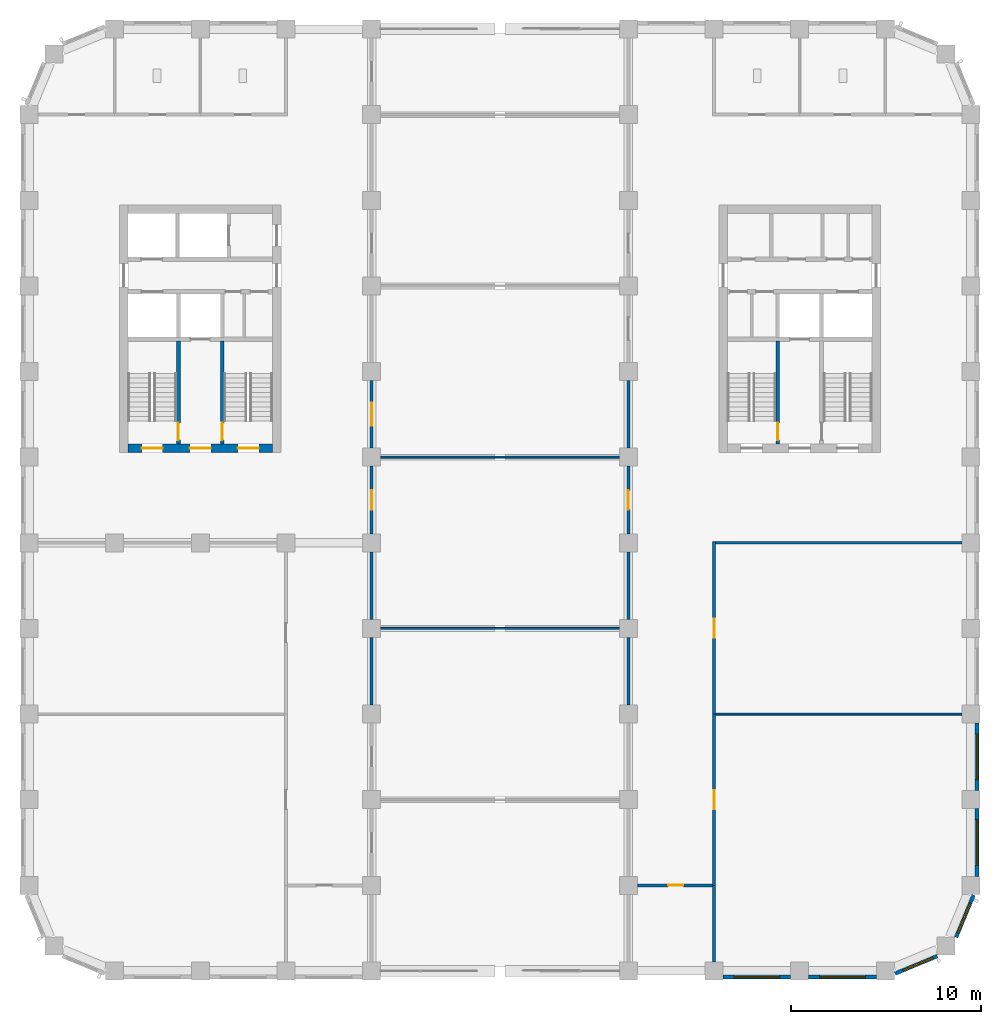
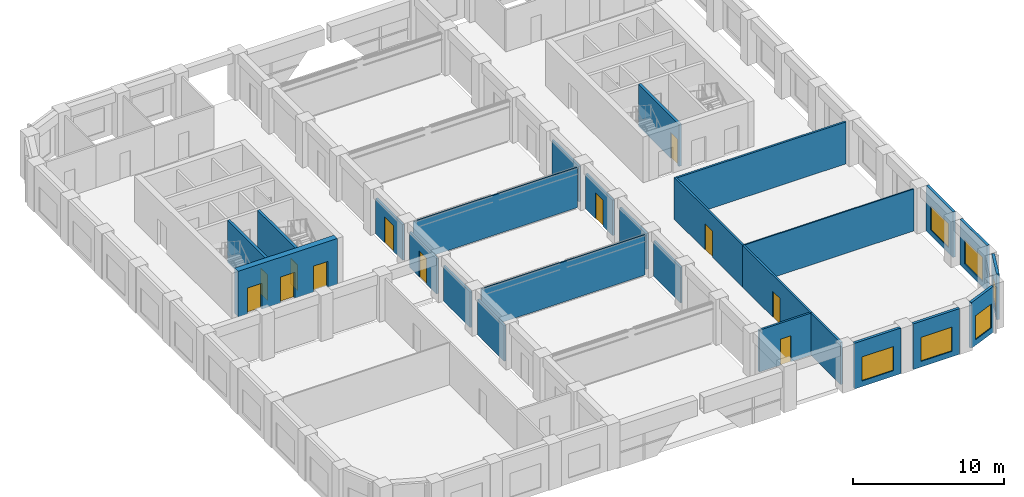
# One storey, part 7 of 14: 26 walls, 12 doors, 6 windows, 18 openings.
"""IFC4 building model written with IfcOpenShell, lengths in metres."""

from ifc_helpers import new_model, si_unit, direction, frame, frame_2d, origin, place, context, subcontext, project, spatial, rectangle, extrude, material, layer, layer_set, type_object, element, fill, save


model = new_model("IFC4")

# Units and contexts
model_context = context("Model", 3, precision=1e-05, world=origin(), true_north=direction((0.0, 1.0)))
body_context = subcontext(model_context, "Body", "Model", "MODEL_VIEW")
ifc_project = project(units=[si_unit("LENGTHUNIT", "METRE"), si_unit("AREAUNIT", "SQUARE_METRE"), si_unit("VOLUMEUNIT", "CUBIC_METRE"), si_unit("PLANEANGLEUNIT", "RADIAN"), si_unit("MASSUNIT", "GRAM", prefix="KILO")], contexts=[model_context])

# Site, building, storey
site_placement = place(None, origin())
site = spatial("IfcSite", under=ifc_project, at=site_placement, CompositionType="ELEMENT")
building_placement = place(site_placement, origin())
building = spatial("IfcBuilding", under=site, at=building_placement, Name="Girih Gate Residences", CompositionType="ELEMENT")
storey_placement = place(building_placement, frame((0.0, 0.0, 172.60009765625)))
storey = spatial("IfcBuildingStorey", under=building, at=storey_placement, Name="L47", CompositionType="ELEMENT", Elevation=172.60009765625)

# Walls
ifc_material_1 = material(Name="Gypsum board on steel studs", Category="steel")
ifc_layer_1 = layer(ifc_material_1, 0.14990234375)
ifc_layer_set_1 = layer_set([ifc_layer_1], Name="Compartment wall 150 mm")
wall_type_1 = type_object("IfcWallType", Name="Compartment wall 150 mm", PredefinedType="PARTITIONING", material=ifc_layer_set_1)
for number, where, z_axis, x_axis, name in (
    (1, (31.5, 13.97509765625, 0.0), (0.0, 0.0, 1.0), (0.0, 1.0, 0.0), "L47 partition"),
    (2, (18.0, 13.97509765625, 0.0), (0.0, 0.0, 1.0), (0.0, 1.0, 0.0), "L47 partition"),
):
    element("IfcWall", number, at=place(storey_placement, frame(where, z_axis=z_axis, x_axis=x_axis)), inside=storey, type_object=wall_type_1, Name=name, PredefinedType="PARTITIONING", context=body_context, shape_type="SweptSolid", body=[
        extrude(rectangle(XDim=3.5498046875, YDim=0.14990234375, at=frame_2d((1.77490234375, 0.0))), origin(), (0.0, 0.0, 1.0), 2.8798828125),
    ])

# Wall, opening, door
wall_1_placement = place(storey_placement, frame((31.5, 22.97509765625, 0.0), z_axis=(0.0, 0.0, 1.0), x_axis=(0.0, 1.0, 0.0)))
wall_1 = element("IfcWall", 3, at=wall_1_placement, inside=storey, type_object=wall_type_1, Name="L47 partition", PredefinedType="PARTITIONING", context=body_context, shape_type="SweptSolid", body=[
    extrude(rectangle(XDim=3.5498046875, YDim=0.14990234375, at=frame_2d((1.77490234375, 0.0))), origin(), (0.0, 0.0, 1.0), 2.8798828125),
])
opening_1_placement = place(wall_1_placement, frame((1.27490234375, 0.0, 0.0)))
opening_1 = element("IfcOpeningElement", 4, at=opening_1_placement, cuts=wall_1, Name="Opening D-L47-S-003", PredefinedType="OPENING", context=body_context, shape_type="SweptSolid", body=[
    extrude(rectangle(XDim=1.0, YDim=2.10009765625, at=frame_2d((0.5, 1.050048828125))), frame((0.0, 0.0849609375, 0.0), z_axis=(0.0, -1.0, 0.0), x_axis=(1.0, 0.0, 0.0)), (0.0, 0.0, 1.0), 0.169921875),
])
ifc_material_2 = material(Name="Timber, fire-rated core", Category="wood")
door_type_1 = type_object("IfcDoorType", Name="Amenity door 1000x2100 FD30S", OperationType="SINGLE_SWING_LEFT", PredefinedType="DOOR", material=ifc_material_2)
door_1_placement = place(opening_1_placement, origin())
door_1 = element("IfcDoor", 5, at=door_1_placement, inside=storey, type_object=door_type_1, Name="Door L47-003", OperationType="SINGLE_SWING_RIGHT", OverallHeight=2.10009765625, OverallWidth=1.0, PredefinedType="DOOR", context=body_context, shape_type="SweptSolid", body=[
    extrude(rectangle(XDim=1.0, YDim=2.10009765625, at=frame_2d((0.5, 1.050048828125))), frame((0.0, 0.02490234375, 0.0), z_axis=(0.0, -1.0, 0.0), x_axis=(1.0, 0.0, 0.0)), (0.0, 0.0, 1.0), 0.050048828125),
])
fill(opening_1, door_1)

# Wall
wall_2_placement = place(storey_placement, frame((31.5, 18.47509765625, 0.0), z_axis=(0.0, 0.0, 1.0), x_axis=(0.0, 1.0, 0.0)))
element("IfcWall", 6, at=wall_2_placement, inside=storey, type_object=wall_type_1, Name="L47 partition", PredefinedType="PARTITIONING", context=body_context, shape_type="SweptSolid", body=[
    extrude(rectangle(XDim=3.5498046875, YDim=0.14990234375, at=frame_2d((1.77490234375, 0.0))), origin(), (0.0, 0.0, 1.0), 2.8798828125),
])

# Wall, opening, door
wall_3_placement = place(storey_placement, frame((18.0, 26.52490234375, 0.0), z_axis=(0.0, 0.0, 1.0), x_axis=(0.0, -1.0, 0.0)))
wall_3 = element("IfcWall", 7, at=wall_3_placement, inside=storey, type_object=wall_type_1, Name="L47 partition", PredefinedType="PARTITIONING", context=body_context, shape_type="SweptSolid", body=[
    extrude(rectangle(XDim=3.5498046875, YDim=0.14990234375, at=frame_2d((1.77490234375, 0.0))), origin(), (0.0, 0.0, 1.0), 2.8798828125),
])
opening_2_placement = place(wall_3_placement, frame((1.27490234375, 0.0, 0.0)))
opening_2 = element("IfcOpeningElement", 8, at=opening_2_placement, cuts=wall_3, Name="Opening D-L47-S-004", PredefinedType="OPENING", context=body_context, shape_type="SweptSolid", body=[
    extrude(rectangle(XDim=1.0, YDim=2.10009765625, at=frame_2d((0.5, 1.050048828125))), frame((0.0, 0.0849609375, 0.0), z_axis=(0.0, -1.0, 0.0), x_axis=(1.0, 0.0, 0.0)), (0.0, 0.0, 1.0), 0.169921875),
])
door_2_placement = place(opening_2_placement, origin())
door_2 = element("IfcDoor", 9, at=door_2_placement, inside=storey, type_object=door_type_1, Name="Door L47-004", OperationType="SINGLE_SWING_RIGHT", OverallHeight=2.10009765625, OverallWidth=1.0, PredefinedType="DOOR", context=body_context, shape_type="SweptSolid", body=[
    extrude(rectangle(XDim=1.0, YDim=2.10009765625, at=frame_2d((0.5, 1.050048828125))), frame((0.0, 0.02490234375, 0.0), z_axis=(0.0, -1.0, 0.0), x_axis=(1.0, 0.0, 0.0)), (0.0, 0.0, 1.0), 0.050048828125),
])
fill(opening_2, door_2)

# Walls
for number, where, z_axis, x_axis, name in (
    (10, (18.0, 18.47509765625, 0.0), (0.0, 0.0, 1.0), (0.0, 1.0, 0.0), "L47 partition"),
    (11, (31.5, 27.47509765625, 0.0), (0.0, 0.0, 1.0), (0.0, 1.0, 0.0), "L47 partition"),
):
    element("IfcWall", number, at=place(storey_placement, frame(where, z_axis=z_axis, x_axis=x_axis)), inside=storey, type_object=wall_type_1, Name=name, PredefinedType="PARTITIONING", context=body_context, shape_type="SweptSolid", body=[
        extrude(rectangle(XDim=3.5498046875, YDim=0.14990234375, at=frame_2d((1.77490234375, 0.0))), origin(), (0.0, 0.0, 1.0), 2.8798828125),
    ])

# Wall, opening, door
wall_4_placement = place(storey_placement, frame((18.0, 31.02490234375, 0.0), z_axis=(0.0, 0.0, 1.0), x_axis=(0.0, -1.0, 0.0)))
wall_4 = element("IfcWall", 12, at=wall_4_placement, inside=storey, type_object=wall_type_1, Name="L47 partition", PredefinedType="PARTITIONING", context=body_context, shape_type="SweptSolid", body=[
    extrude(rectangle(XDim=3.5498046875, YDim=0.14990234375, at=frame_2d((1.77490234375, 0.0))), origin(), (0.0, 0.0, 1.0), 2.8798828125),
])
opening_3_placement = place(wall_4_placement, frame((1.175048828125, 0.0, 0.0)))
opening_3 = element("IfcOpeningElement", 13, at=opening_3_placement, cuts=wall_4, Name="Opening D-L47-S-006", PredefinedType="OPENING", context=body_context, shape_type="SweptSolid", body=[
    extrude(rectangle(XDim=1.199951171875, YDim=2.10009765625, at=frame_2d((0.60009765625, 1.050048828125))), frame((0.0, 0.0849609375, 0.0), z_axis=(0.0, -1.0, 0.0), x_axis=(1.0, 0.0, 0.0)), (0.0, 0.0, 1.0), 0.169921875),
])
door_type_2 = type_object("IfcDoorType", Name="Gallery fire door 1200x2100 FD30S", OperationType="SINGLE_SWING_LEFT", PredefinedType="DOOR", material=ifc_material_2)
door_3_placement = place(opening_3_placement, origin())
door_3 = element("IfcDoor", 14, at=door_3_placement, inside=storey, type_object=door_type_2, Name="Door L47-006", OperationType="SINGLE_SWING_LEFT", OverallHeight=2.10009765625, OverallWidth=1.199951171875, PredefinedType="DOOR", context=body_context, shape_type="SweptSolid", body=[
    extrude(rectangle(XDim=1.199951171875, YDim=2.10009765625, at=frame_2d((0.60009765625, 1.050048828125))), frame((0.0, 0.02490234375, 0.0), z_axis=(0.0, -1.0, 0.0), x_axis=(1.0, 0.0, 0.0)), (0.0, 0.0, 1.0), 0.050048828125),
])
fill(opening_3, door_3)

# Walls
wall_5_placement = place(storey_placement, frame((36.074951171875, 22.5, 0.0), z_axis=(0.0, 0.0, 1.0), x_axis=(1.0, 0.0, 0.0)))
element("IfcWall", 15, at=wall_5_placement, inside=storey, type_object=wall_type_1, Name="L47 partition", PredefinedType="PARTITIONING", context=body_context, shape_type="SweptSolid", body=[
    extrude(rectangle(XDim=12.949951171875, YDim=0.14990234375, at=frame_2d((6.47509765625, 0.0))), origin(), (0.0, 0.0, 1.0), 3.39990234375),
])
wall_6_placement = place(storey_placement, frame((36.0, 0.47509765625, 0.0), z_axis=(0.0, 0.0, 1.0), x_axis=(0.0, 1.0, 0.0)))
element("IfcWall", 16, at=wall_6_placement, inside=storey, type_object=wall_type_1, Name="L47 partition", PredefinedType="PARTITIONING", context=body_context, shape_type="SweptSolid", body=[
    extrude(rectangle(XDim=4.02490234375, YDim=0.14990234375, at=frame_2d((2.012451171875, 0.0))), origin(), (0.0, 0.0, 1.0), 3.39990234375),
])

# Wall, opening, door
wall_7_placement = place(storey_placement, frame((35.925048828125, 4.5, 0.0), z_axis=(0.0, 0.0, 1.0), x_axis=(-1.0, 0.0, 0.0)))
wall_7 = element("IfcWall", 17, at=wall_7_placement, inside=storey, type_object=wall_type_1, Name="L47 partition", PredefinedType="PARTITIONING", context=body_context, shape_type="SweptSolid", body=[
    extrude(rectangle(XDim=3.949951171875, YDim=0.14990234375, at=frame_2d((1.97509765625, 0.0))), origin(), (0.0, 0.0, 1.0), 3.39990234375),
])
opening_4_placement = place(wall_7_placement, frame((1.53759765625, 0.0, 0.0)))
opening_4 = element("IfcOpeningElement", 18, at=opening_4_placement, cuts=wall_7, Name="Opening D-L47-S-013", PredefinedType="OPENING", context=body_context, shape_type="SweptSolid", body=[
    extrude(rectangle(XDim=0.800048828125, YDim=2.10009765625, at=frame_2d((0.39990234375, 1.050048828125))), frame((0.0, 0.0849609375, 0.0), z_axis=(0.0, -1.0, 0.0), x_axis=(1.0, 0.0, 0.0)), (0.0, 0.0, 1.0), 0.169921875),
])
ifc_material_3 = material(Name="Timber", Category="wood")
door_type_3 = type_object("IfcDoorType", Name="WC and store door 800x2100", OperationType="SINGLE_SWING_LEFT", PredefinedType="DOOR", material=ifc_material_3)
door_4_placement = place(opening_4_placement, origin())
door_4 = element("IfcDoor", 19, at=door_4_placement, inside=storey, type_object=door_type_3, Name="Door L47-013", OperationType="SINGLE_SWING_LEFT", OverallHeight=2.10009765625, OverallWidth=0.800048828125, PredefinedType="DOOR", context=body_context, shape_type="SweptSolid", body=[
    extrude(rectangle(XDim=0.800048828125, YDim=2.10009765625, at=frame_2d((0.39990234375, 1.050048828125))), frame((0.0, 0.02490234375, 0.0), z_axis=(0.0, -1.0, 0.0), x_axis=(1.0, 0.0, 0.0)), (0.0, 0.0, 1.0), 0.050048828125),
])
fill(opening_4, door_4)

wall_8_placement = place(storey_placement, frame((36.0, 13.5, 0.0), z_axis=(0.0, 0.0, 1.0), x_axis=(0.0, -1.0, 0.0)))
wall_8 = element("IfcWall", 20, at=wall_8_placement, inside=storey, type_object=wall_type_1, Name="L47 partition", PredefinedType="PARTITIONING", context=body_context, shape_type="SweptSolid", body=[
    extrude(rectangle(XDim=9.0, YDim=0.14990234375, at=frame_2d((4.5, 0.0))), origin(), (0.0, 0.0, 1.0), 3.39990234375),
])
opening_5_placement = place(wall_8_placement, frame((4.0, 0.0, 0.0)))
opening_5 = element("IfcOpeningElement", 21, at=opening_5_placement, cuts=wall_8, Name="Opening D-L47-S-014", PredefinedType="OPENING", context=body_context, shape_type="SweptSolid", body=[
    extrude(rectangle(XDim=1.0, YDim=2.10009765625, at=frame_2d((0.5, 1.050048828125))), frame((0.0, 0.0849609375, 0.0), z_axis=(0.0, -1.0, 0.0), x_axis=(1.0, 0.0, 0.0)), (0.0, 0.0, 1.0), 0.169921875),
])
door_5_placement = place(opening_5_placement, origin())
door_5 = element("IfcDoor", 22, at=door_5_placement, inside=storey, type_object=door_type_1, Name="Door L47-014", OperationType="SINGLE_SWING_RIGHT", OverallHeight=2.10009765625, OverallWidth=1.0, PredefinedType="DOOR", context=body_context, shape_type="SweptSolid", body=[
    extrude(rectangle(XDim=1.0, YDim=2.10009765625, at=frame_2d((0.5, 1.050048828125))), frame((0.0, 0.02490234375, 0.0), z_axis=(0.0, -1.0, 0.0), x_axis=(1.0, 0.0, 0.0)), (0.0, 0.0, 1.0), 0.050048828125),
])
fill(opening_5, door_5)

wall_9_placement = place(storey_placement, frame((36.0, 22.574951171875, 0.0), z_axis=(0.0, 0.0, 1.0), x_axis=(0.0, -1.0, 0.0)))
wall_9 = element("IfcWall", 23, at=wall_9_placement, inside=storey, type_object=wall_type_1, Name="L47 partition", PredefinedType="PARTITIONING", context=body_context, shape_type="SweptSolid", body=[
    extrude(rectangle(XDim=9.074951171875, YDim=0.14990234375, at=frame_2d((4.53759765625, 0.0))), origin(), (0.0, 0.0, 1.0), 3.39990234375),
])
opening_6_placement = place(wall_9_placement, frame((4.074951171875, 0.0, 0.0)))
opening_6 = element("IfcOpeningElement", 24, at=opening_6_placement, cuts=wall_9, Name="Opening D-L47-S-015", PredefinedType="OPENING", context=body_context, shape_type="SweptSolid", body=[
    extrude(rectangle(XDim=1.0, YDim=2.10009765625, at=frame_2d((0.5, 1.050048828125))), frame((0.0, 0.0849609375, 0.0), z_axis=(0.0, -1.0, 0.0), x_axis=(1.0, 0.0, 0.0)), (0.0, 0.0, 1.0), 0.169921875),
])
door_6_placement = place(opening_6_placement, origin())
door_6 = element("IfcDoor", 25, at=door_6_placement, inside=storey, type_object=door_type_1, Name="Door L47-015", OperationType="SINGLE_SWING_RIGHT", OverallHeight=2.10009765625, OverallWidth=1.0, PredefinedType="DOOR", context=body_context, shape_type="SweptSolid", body=[
    extrude(rectangle(XDim=1.0, YDim=2.10009765625, at=frame_2d((0.5, 1.050048828125))), frame((0.0, 0.02490234375, 0.0), z_axis=(0.0, -1.0, 0.0), x_axis=(1.0, 0.0, 0.0)), (0.0, 0.0, 1.0), 0.050048828125),
])
fill(opening_6, door_6)

# Wall, openings, doors
ifc_material_4 = material(Name="Concrete C60/75", Category="concrete")
ifc_layer_2 = layer(ifc_material_4, 0.449951171875)
ifc_layer_set_2 = layer_set([ifc_layer_2], Name="Core wall RC 450 Concrete C60/75")
wall_type_2 = type_object("IfcWallType", Name="Core wall RC 450 Concrete C60/75", PredefinedType="SOLIDWALL", material=ifc_layer_set_2)
wall_10_placement = place(storey_placement, frame((5.199951171875, 27.47509765625, 0.0), z_axis=(0.0, 0.0, 1.0), x_axis=(1.0, 0.0, 0.0)))
wall_10 = element("IfcWall", 26, at=wall_10_placement, inside=storey, type_object=wall_type_2, Name="Core wall W-S L47", PredefinedType="SOLIDWALL", context=body_context, shape_type="SweptSolid", body=[
    extrude(rectangle(XDim=7.60009765625, YDim=0.449951171875, at=frame_2d((3.800048828125, 0.0))), origin(), (0.0, 0.0, 1.0), 3.699951171875),
])
opening_7_placement = place(wall_10_placement, frame((0.72509765625, 0.0, 0.0)))
opening_7 = element("IfcOpeningElement", 27, at=opening_7_placement, cuts=wall_10, Name="Opening D-L47-W-009", PredefinedType="OPENING", context=body_context, shape_type="SweptSolid", body=[
    extrude(rectangle(XDim=1.10009765625, YDim=2.10009765625, at=frame_2d((0.550048828125, 1.050048828125))), frame((0.0, 0.23486328125, 0.0), z_axis=(0.0, -1.0, 0.0), x_axis=(1.0, 0.0, 0.0)), (0.0, 0.0, 1.0), 0.469970703125),
])
opening_8_placement = place(wall_10_placement, frame((3.25, 0.0, 0.0)))
opening_8 = element("IfcOpeningElement", 28, at=opening_8_placement, cuts=wall_10, Name="Opening D-L47-W-010", PredefinedType="OPENING", context=body_context, shape_type="SweptSolid", body=[
    extrude(rectangle(XDim=1.10009765625, YDim=2.10009765625, at=frame_2d((0.550048828125, 1.050048828125))), frame((0.0, 0.23486328125, 0.0), z_axis=(0.0, -1.0, 0.0), x_axis=(1.0, 0.0, 0.0)), (0.0, 0.0, 1.0), 0.469970703125),
])
opening_9_placement = place(wall_10_placement, frame((5.77490234375, 0.0, 0.0)))
opening_9 = element("IfcOpeningElement", 29, at=opening_9_placement, cuts=wall_10, Name="Opening D-L47-W-011", PredefinedType="OPENING", context=body_context, shape_type="SweptSolid", body=[
    extrude(rectangle(XDim=1.10009765625, YDim=2.10009765625, at=frame_2d((0.550048828125, 1.050048828125))), frame((0.0, 0.23486328125, 0.0), z_axis=(0.0, -1.0, 0.0), x_axis=(1.0, 0.0, 0.0)), (0.0, 0.0, 1.0), 0.469970703125),
])
ifc_material_5 = material(Name="Painted steel, fire-resisting", Category="steel")
door_type_4 = type_object("IfcDoorType", Name="Fire door 1100x2100", OperationType="SINGLE_SWING_LEFT", PredefinedType="DOOR", material=ifc_material_5)
door_7_placement = place(opening_7_placement, origin())
door_7 = element("IfcDoor", 30, at=door_7_placement, inside=storey, type_object=door_type_4, Name="L47 W core door sta-out", OperationType="SINGLE_SWING_LEFT", OverallHeight=2.10009765625, OverallWidth=1.10009765625, PredefinedType="DOOR", context=body_context, shape_type="SweptSolid", body=[
    extrude(rectangle(XDim=1.10009765625, YDim=2.10009765625, at=frame_2d((0.550048828125, 1.050048828125))), frame((0.0, 0.02490234375, 0.0), z_axis=(0.0, -1.0, 0.0), x_axis=(1.0, 0.0, 0.0)), (0.0, 0.0, 1.0), 0.050048828125),
])
fill(opening_7, door_7)
door_8_placement = place(opening_8_placement, origin())
door_8 = element("IfcDoor", 31, at=door_8_placement, inside=storey, type_object=door_type_4, Name="L47 W core door ffl-out", OperationType="SINGLE_SWING_LEFT", OverallHeight=2.10009765625, OverallWidth=1.10009765625, PredefinedType="DOOR", context=body_context, shape_type="SweptSolid", body=[
    extrude(rectangle(XDim=1.10009765625, YDim=2.10009765625, at=frame_2d((0.550048828125, 1.050048828125))), frame((0.0, 0.02490234375, 0.0), z_axis=(0.0, -1.0, 0.0), x_axis=(1.0, 0.0, 0.0)), (0.0, 0.0, 1.0), 0.050048828125),
])
fill(opening_8, door_8)
door_9_placement = place(opening_9_placement, origin())
door_9 = element("IfcDoor", 32, at=door_9_placement, inside=storey, type_object=door_type_4, Name="L47 W core door stb-out", OperationType="SINGLE_SWING_LEFT", OverallHeight=2.10009765625, OverallWidth=1.10009765625, PredefinedType="DOOR", context=body_context, shape_type="SweptSolid", body=[
    extrude(rectangle(XDim=1.10009765625, YDim=2.10009765625, at=frame_2d((0.550048828125, 1.050048828125))), frame((0.0, 0.02490234375, 0.0), z_axis=(0.0, -1.0, 0.0), x_axis=(1.0, 0.0, 0.0)), (0.0, 0.0, 1.0), 0.050048828125),
])
fill(opening_9, door_9)

# Walls
ifc_layer_3 = layer(ifc_material_1, 0.10009765625)
ifc_layer_set_3 = layer_set([ifc_layer_3], Name="Partition 100 mm")
wall_type_3 = type_object("IfcWallType", Name="Partition 100 mm", PredefinedType="PARTITIONING", material=ifc_layer_set_3)
for number, where, z_axis, x_axis, name in (
    (33, (18.47509765625, 18.0, 0.0), (0.0, 0.0, 1.0), (1.0, 0.0, 0.0), "L47 partition"),
    (34, (18.47509765625, 27.0, 0.0), (0.0, 0.0, 1.0), (1.0, 0.0, 0.0), "L47 partition"),
):
    element("IfcWall", number, at=place(storey_placement, frame(where, z_axis=z_axis, x_axis=x_axis)), inside=storey, type_object=wall_type_3, Name=name, PredefinedType="PARTITIONING", context=body_context, shape_type="SweptSolid", body=[
        extrude(rectangle(XDim=12.5498046875, YDim=0.10009765625, at=frame_2d((6.27490234375, 0.0))), origin(), (0.0, 0.0, 1.0), 3.25),
    ])
wall_11_placement = place(storey_placement, frame((36.074951171875, 13.5, 0.0), z_axis=(0.0, 0.0, 1.0), x_axis=(1.0, 0.0, 0.0)))
element("IfcWall", 35, at=wall_11_placement, inside=storey, type_object=wall_type_3, Name="L47 partition", PredefinedType="PARTITIONING", context=body_context, shape_type="SweptSolid", body=[
    extrude(rectangle(XDim=12.949951171875, YDim=0.10009765625, at=frame_2d((6.47509765625, 0.0))), origin(), (0.0, 0.0, 1.0), 3.39990234375),
])

# Wall, opening, window
ifc_material_6 = material(Name="Precast concrete C50/60", Category="concrete")
ifc_layer_4 = layer(ifc_material_6, 0.06005859375, Name="Outer leaf")
ifc_material_7 = material(Name="Rigid PIR insulation")
ifc_layer_5 = layer(ifc_material_7, 0.090087890625, Name="Insulation")
ifc_material_8 = material(Name="Precast concrete C40/50", Category="concrete")
ifc_layer_6 = layer(ifc_material_8, 0.050048828125, Name="Inner leaf")
ifc_layer_set_4 = layer_set([ifc_layer_4, ifc_layer_5, ifc_layer_6], Name="Precast concrete C50/60 external wall 200")
wall_type_4 = type_object("IfcWallType", Name="Precast concrete C50/60 external wall 200", PredefinedType="SOLIDWALL", material=ifc_layer_set_4)
wall_12_placement = place(storey_placement, frame((40.02490234375, -0.324951171875, 0.0), z_axis=(0.0, 0.0, 1.0), x_axis=(-1.0, 0.0, 0.0)))
wall_12 = element("IfcWall", 36, at=wall_12_placement, inside=storey, type_object=wall_type_4, Name="External wall S0045_0000.7", PredefinedType="SOLIDWALL", context=body_context, shape_type="SweptSolid", body=[
    extrude(rectangle(XDim=3.5498046875, YDim=0.199951171875, at=frame_2d((1.77490234375, 0.0))), origin(), (0.0, 0.0, 1.0), 3.699951171875),
])
opening_10_placement = place(wall_12_placement, frame((0.574951171875, 0.0, 0.449951171875)))
opening_10 = element("IfcOpeningElement", 37, at=opening_10_placement, cuts=wall_12, Name="Opening W-1C", PredefinedType="OPENING", context=body_context, shape_type="SweptSolid", body=[
    extrude(rectangle(XDim=2.39990234375, YDim=1.949951171875, at=frame_2d((1.199951171875, 0.97509765625))), frame((0.0, 0.10986328125, 0.0), z_axis=(0.0, -1.0, 0.0), x_axis=(1.0, 0.0, 0.0)), (0.0, 0.0, 1.0), 0.219970703125),
])
ifc_material_9 = material(Name="Double glazing in aluminium frame", Category="aluminium")
window_type_1 = type_object("IfcWindowType", Name="Window W-1C 2400x1950", PartitioningType="SINGLE_PANEL", PredefinedType="WINDOW", material=ifc_material_9)
window_1_placement = place(opening_10_placement, origin())
window_1 = element("IfcWindow", 38, at=window_1_placement, inside=storey, type_object=window_type_1, Name="Window W-1C S0045_0000.7", OverallHeight=1.949951171875, OverallWidth=2.39990234375, PartitioningType="SINGLE_PANEL", PredefinedType="WINDOW", context=body_context, shape_type="SweptSolid", body=[
    extrude(rectangle(XDim=2.39990234375, YDim=1.949951171875, at=frame_2d((1.199951171875, 0.97509765625))), frame((0.0, 0.030029296875, 0.0), z_axis=(0.0, -1.0, 0.0), x_axis=(1.0, 0.0, 0.0)), (0.0, 0.0, 1.0), 0.06005859375),
])
fill(opening_10, window_1)

wall_13_placement = place(storey_placement, frame((44.52490234375, -0.324951171875, 0.0), z_axis=(0.0, 0.0, 1.0), x_axis=(-1.0, 0.0, 0.0)))
wall_13 = element("IfcWall", 39, at=wall_13_placement, inside=storey, type_object=wall_type_4, Name="External wall S0045_0000.8", PredefinedType="SOLIDWALL", context=body_context, shape_type="SweptSolid", body=[
    extrude(rectangle(XDim=3.5498046875, YDim=0.199951171875, at=frame_2d((1.77490234375, 0.0))), origin(), (0.0, 0.0, 1.0), 3.699951171875),
])
opening_11_placement = place(wall_13_placement, frame((0.574951171875, 0.0, 0.449951171875)))
opening_11 = element("IfcOpeningElement", 40, at=opening_11_placement, cuts=wall_13, Name="Opening W-1C", PredefinedType="OPENING", context=body_context, shape_type="SweptSolid", body=[
    extrude(rectangle(XDim=2.39990234375, YDim=1.949951171875, at=frame_2d((1.199951171875, 0.97509765625))), frame((0.0, 0.10986328125, 0.0), z_axis=(0.0, -1.0, 0.0), x_axis=(1.0, 0.0, 0.0)), (0.0, 0.0, 1.0), 0.219970703125),
])
window_2_placement = place(opening_11_placement, origin())
window_2 = element("IfcWindow", 41, at=window_2_placement, inside=storey, type_object=window_type_1, Name="Window W-1C S0045_0000.8", OverallHeight=1.949951171875, OverallWidth=2.39990234375, PartitioningType="SINGLE_PANEL", PredefinedType="WINDOW", context=body_context, shape_type="SweptSolid", body=[
    extrude(rectangle(XDim=2.39990234375, YDim=1.949951171875, at=frame_2d((1.199951171875, 0.97509765625))), frame((0.0, 0.030029296875, 0.0), z_axis=(0.0, -1.0, 0.0), x_axis=(1.0, 0.0, 0.0)), (0.0, 0.0, 1.0), 0.06005859375),
])
fill(opening_11, window_2)

wall_14_placement = place(storey_placement, frame((47.73291015625, 0.7802734375, 0.0), z_axis=(0.0, 0.0, 1.0), x_axis=(-0.923880599843, -0.382680855588, 0.0)))
wall_14 = element("IfcWall", 42, at=wall_14_placement, inside=storey, type_object=wall_type_4, Name="External wall SE0450_0000.0", PredefinedType="SOLIDWALL", context=body_context, shape_type="SweptSolid", body=[
    extrude(rectangle(XDim=2.402587890625, YDim=0.199951171875, at=frame_2d((1.201171875, 0.0))), origin(), (0.0, 0.0, 1.0), 3.699951171875),
])
opening_12_placement = place(wall_14_placement, frame((0.25146484375, 0.0, 0.449951171875)))
opening_12 = element("IfcOpeningElement", 43, at=opening_12_placement, cuts=wall_14, Name="Opening W-2E", PredefinedType="OPENING", context=body_context, shape_type="SweptSolid", body=[
    extrude(rectangle(XDim=1.699951171875, YDim=1.949951171875, at=frame_2d((0.85009765625, 0.97509765625))), frame((0.0, 0.10986328125, 0.0), z_axis=(0.0, -1.0, 0.0), x_axis=(1.0, 0.0, 0.0)), (0.0, 0.0, 1.0), 0.219970703125),
])
window_type_2 = type_object("IfcWindowType", Name="Window W-2E 1700x1950", PartitioningType="SINGLE_PANEL", PredefinedType="WINDOW", material=ifc_material_9)
window_3_placement = place(opening_12_placement, origin())
window_3 = element("IfcWindow", 44, at=window_3_placement, inside=storey, type_object=window_type_2, Name="Window W-2E SE0450_0000.0", OverallHeight=1.949951171875, OverallWidth=1.699951171875, PartitioningType="SINGLE_PANEL", PredefinedType="WINDOW", context=body_context, shape_type="SweptSolid", body=[
    extrude(rectangle(XDim=1.699951171875, YDim=1.949951171875, at=frame_2d((0.85009765625, 0.97509765625))), frame((0.0, 0.030029296875, 0.0), z_axis=(0.0, -1.0, 0.0), x_axis=(1.0, 0.0, 0.0)), (0.0, 0.0, 1.0), 0.06005859375),
])
fill(opening_12, window_3)

wall_15_placement = place(storey_placement, frame((49.63916015625, 3.98681640625, 0.0), z_axis=(0.0, 0.0, 1.0), x_axis=(-0.382680855588, -0.923880599843, 0.0)))
wall_15 = element("IfcWall", 45, at=wall_15_placement, inside=storey, type_object=wall_type_4, Name="External wall SE0482_0013.0", PredefinedType="SOLIDWALL", context=body_context, shape_type="SweptSolid", body=[
    extrude(rectangle(XDim=2.402587890625, YDim=0.199951171875, at=frame_2d((1.201171875, 0.0))), origin(), (0.0, 0.0, 1.0), 3.699951171875),
])
opening_13_placement = place(wall_15_placement, frame((0.451171875, 0.0, 0.449951171875)))
opening_13 = element("IfcOpeningElement", 46, at=opening_13_placement, cuts=wall_15, Name="Opening W-2E", PredefinedType="OPENING", context=body_context, shape_type="SweptSolid", body=[
    extrude(rectangle(XDim=1.699951171875, YDim=1.949951171875, at=frame_2d((0.85009765625, 0.97509765625))), frame((0.0, 0.10986328125, 0.0), z_axis=(0.0, -1.0, 0.0), x_axis=(1.0, 0.0, 0.0)), (0.0, 0.0, 1.0), 0.219970703125),
])
window_4_placement = place(opening_13_placement, origin())
window_4 = element("IfcWindow", 47, at=window_4_placement, inside=storey, type_object=window_type_2, Name="Window W-2E SE0482_0013.0", OverallHeight=1.949951171875, OverallWidth=1.699951171875, PartitioningType="SINGLE_PANEL", PredefinedType="WINDOW", context=body_context, shape_type="SweptSolid", body=[
    extrude(rectangle(XDim=1.699951171875, YDim=1.949951171875, at=frame_2d((0.85009765625, 0.97509765625))), frame((0.0, 0.030029296875, 0.0), z_axis=(0.0, -1.0, 0.0), x_axis=(1.0, 0.0, 0.0)), (0.0, 0.0, 1.0), 0.06005859375),
])
fill(opening_13, window_4)

wall_16_placement = place(storey_placement, frame((49.824951171875, 8.52490234375, 0.0), z_axis=(0.0, 0.0, 1.0), x_axis=(0.0, -1.0, 0.0)))
wall_16 = element("IfcWall", 48, at=wall_16_placement, inside=storey, type_object=wall_type_4, Name="External wall E0495_0045.0", PredefinedType="SOLIDWALL", context=body_context, shape_type="SweptSolid", body=[
    extrude(rectangle(XDim=3.5498046875, YDim=0.199951171875, at=frame_2d((1.77490234375, 0.0))), origin(), (0.0, 0.0, 1.0), 3.699951171875),
])
opening_14_placement = place(wall_16_placement, frame((0.574951171875, 0.0, 0.449951171875)))
opening_14 = element("IfcOpeningElement", 49, at=opening_14_placement, cuts=wall_16, Name="Opening W-1C", PredefinedType="OPENING", context=body_context, shape_type="SweptSolid", body=[
    extrude(rectangle(XDim=2.39990234375, YDim=1.949951171875, at=frame_2d((1.199951171875, 0.97509765625))), frame((0.0, 0.10986328125, 0.0), z_axis=(0.0, -1.0, 0.0), x_axis=(1.0, 0.0, 0.0)), (0.0, 0.0, 1.0), 0.219970703125),
])
window_5_placement = place(opening_14_placement, origin())
window_5 = element("IfcWindow", 50, at=window_5_placement, inside=storey, type_object=window_type_1, Name="Window W-1C E0495_0045.0", OverallHeight=1.949951171875, OverallWidth=2.39990234375, PartitioningType="SINGLE_PANEL", PredefinedType="WINDOW", context=body_context, shape_type="SweptSolid", body=[
    extrude(rectangle(XDim=2.39990234375, YDim=1.949951171875, at=frame_2d((1.199951171875, 0.97509765625))), frame((0.0, 0.030029296875, 0.0), z_axis=(0.0, -1.0, 0.0), x_axis=(1.0, 0.0, 0.0)), (0.0, 0.0, 1.0), 0.06005859375),
])
fill(opening_14, window_5)

wall_17_placement = place(storey_placement, frame((49.824951171875, 13.02490234375, 0.0), z_axis=(0.0, 0.0, 1.0), x_axis=(0.0, -1.0, 0.0)))
wall_17 = element("IfcWall", 51, at=wall_17_placement, inside=storey, type_object=wall_type_4, Name="External wall E0495_0045.1", PredefinedType="SOLIDWALL", context=body_context, shape_type="SweptSolid", body=[
    extrude(rectangle(XDim=3.5498046875, YDim=0.199951171875, at=frame_2d((1.77490234375, 0.0))), origin(), (0.0, 0.0, 1.0), 3.699951171875),
])
opening_15_placement = place(wall_17_placement, frame((0.574951171875, 0.0, 0.449951171875)))
opening_15 = element("IfcOpeningElement", 52, at=opening_15_placement, cuts=wall_17, Name="Opening W-1C", PredefinedType="OPENING", context=body_context, shape_type="SweptSolid", body=[
    extrude(rectangle(XDim=2.39990234375, YDim=1.949951171875, at=frame_2d((1.199951171875, 0.97509765625))), frame((0.0, 0.10986328125, 0.0), z_axis=(0.0, -1.0, 0.0), x_axis=(1.0, 0.0, 0.0)), (0.0, 0.0, 1.0), 0.219970703125),
])
window_6_placement = place(opening_15_placement, origin())
window_6 = element("IfcWindow", 53, at=window_6_placement, inside=storey, type_object=window_type_1, Name="Window W-1C E0495_0045.1", OverallHeight=1.949951171875, OverallWidth=2.39990234375, PartitioningType="SINGLE_PANEL", PredefinedType="WINDOW", context=body_context, shape_type="SweptSolid", body=[
    extrude(rectangle(XDim=2.39990234375, YDim=1.949951171875, at=frame_2d((1.199951171875, 0.97509765625))), frame((0.0, 0.030029296875, 0.0), z_axis=(0.0, -1.0, 0.0), x_axis=(1.0, 0.0, 0.0)), (0.0, 0.0, 1.0), 0.06005859375),
])
fill(opening_15, window_6)

# Wall, opening, door
ifc_material_10 = material(Name="Concrete C40/50", Category="concrete")
ifc_layer_7 = layer(ifc_material_10, 0.199951171875)
ifc_layer_set_5 = layer_set([ifc_layer_7], Name="Shaft wall 200")
wall_type_5 = type_object("IfcWallType", Name="Shaft wall 200", PredefinedType="SOLIDWALL", material=ifc_layer_set_5)
wall_18_placement = place(storey_placement, frame((7.85009765625, 27.699951171875, 0.0), z_axis=(0.0, 0.0, 1.0), x_axis=(0.0, 1.0, 0.0)))
wall_18 = element("IfcWall", 54, at=wall_18_placement, inside=storey, type_object=wall_type_5, Name="L47 W core wall V1a", PredefinedType="SOLIDWALL", context=body_context, shape_type="SweptSolid", body=[
    extrude(rectangle(XDim=5.400146484375, YDim=0.199951171875, at=frame_2d((2.7001953125, 0.0))), origin(), (0.0, 0.0, 1.0), 3.39990234375),
])
opening_16_placement = place(wall_18_placement, frame((0.199951171875, 0.0, 0.0)))
opening_16 = element("IfcOpeningElement", 55, at=opening_16_placement, cuts=wall_18, Name="Opening D-L47-W-001", PredefinedType="OPENING", context=body_context, shape_type="SweptSolid", body=[
    extrude(rectangle(XDim=0.89990234375, YDim=2.10009765625, at=frame_2d((0.449951171875, 1.050048828125))), frame((0.0, 0.10986328125, 0.0), z_axis=(0.0, -1.0, 0.0), x_axis=(1.0, 0.0, 0.0)), (0.0, 0.0, 1.0), 0.219970703125),
])
door_type_5 = type_object("IfcDoorType", Name="Fire door 900x2100", OperationType="SINGLE_SWING_LEFT", PredefinedType="DOOR", material=ifc_material_5)
door_10_placement = place(opening_16_placement, origin())
door_10 = element("IfcDoor", 56, at=door_10_placement, inside=storey, type_object=door_type_5, Name="L47 W door stair 1 to firefighting lobby", OperationType="SINGLE_SWING_LEFT", OverallHeight=2.10009765625, OverallWidth=0.89990234375, PredefinedType="DOOR", context=body_context, shape_type="SweptSolid", body=[
    extrude(rectangle(XDim=0.89990234375, YDim=2.10009765625, at=frame_2d((0.449951171875, 1.050048828125))), frame((0.0, 0.02490234375, 0.0), z_axis=(0.0, -1.0, 0.0), x_axis=(1.0, 0.0, 0.0)), (0.0, 0.0, 1.0), 0.050048828125),
])
fill(opening_16, door_10)

wall_19_placement = place(storey_placement, frame((10.14990234375, 27.699951171875, 0.0), z_axis=(0.0, 0.0, 1.0), x_axis=(0.0, 1.0, 0.0)))
wall_19 = element("IfcWall", 57, at=wall_19_placement, inside=storey, type_object=wall_type_5, Name="L47 W core wall V2a", PredefinedType="SOLIDWALL", context=body_context, shape_type="SweptSolid", body=[
    extrude(rectangle(XDim=5.400146484375, YDim=0.199951171875, at=frame_2d((2.7001953125, 0.0))), origin(), (0.0, 0.0, 1.0), 3.39990234375),
])
opening_17_placement = place(wall_19_placement, frame((0.199951171875, 0.0, 0.0)))
opening_17 = element("IfcOpeningElement", 58, at=opening_17_placement, cuts=wall_19, Name="Opening D-L47-W-002", PredefinedType="OPENING", context=body_context, shape_type="SweptSolid", body=[
    extrude(rectangle(XDim=0.89990234375, YDim=2.10009765625, at=frame_2d((0.449951171875, 1.050048828125))), frame((0.0, 0.10986328125, 0.0), z_axis=(0.0, -1.0, 0.0), x_axis=(1.0, 0.0, 0.0)), (0.0, 0.0, 1.0), 0.219970703125),
])
door_11_placement = place(opening_17_placement, origin())
door_11 = element("IfcDoor", 59, at=door_11_placement, inside=storey, type_object=door_type_5, Name="L47 W door stair 2 to firefighting lobby", OperationType="SINGLE_SWING_LEFT", OverallHeight=2.10009765625, OverallWidth=0.89990234375, PredefinedType="DOOR", context=body_context, shape_type="SweptSolid", body=[
    extrude(rectangle(XDim=0.89990234375, YDim=2.10009765625, at=frame_2d((0.449951171875, 1.050048828125))), frame((0.0, 0.02490234375, 0.0), z_axis=(0.0, -1.0, 0.0), x_axis=(1.0, 0.0, 0.0)), (0.0, 0.0, 1.0), 0.050048828125),
])
fill(opening_17, door_11)

wall_20_placement = place(storey_placement, frame((39.35009765625, 27.699951171875, 0.0), z_axis=(0.0, 0.0, 1.0), x_axis=(0.0, 1.0, 0.0)))
wall_20 = element("IfcWall", 60, at=wall_20_placement, inside=storey, type_object=wall_type_5, Name="L47 E core wall V2a", PredefinedType="SOLIDWALL", context=body_context, shape_type="SweptSolid", body=[
    extrude(rectangle(XDim=5.400146484375, YDim=0.199951171875, at=frame_2d((2.7001953125, 0.0))), origin(), (0.0, 0.0, 1.0), 3.39990234375),
])
opening_18_placement = place(wall_20_placement, frame((0.199951171875, 0.0, 0.0)))
opening_18 = element("IfcOpeningElement", 61, at=opening_18_placement, cuts=wall_20, Name="Opening D-L47-E-002", PredefinedType="OPENING", context=body_context, shape_type="SweptSolid", body=[
    extrude(rectangle(XDim=0.89990234375, YDim=2.10009765625, at=frame_2d((0.449951171875, 1.050048828125))), frame((0.0, 0.10986328125, 0.0), z_axis=(0.0, -1.0, 0.0), x_axis=(1.0, 0.0, 0.0)), (0.0, 0.0, 1.0), 0.219970703125),
])
door_12_placement = place(opening_18_placement, origin())
door_12 = element("IfcDoor", 62, at=door_12_placement, inside=storey, type_object=door_type_5, Name="L47 E door stair 2 to firefighting lobby", OperationType="SINGLE_SWING_LEFT", OverallHeight=2.10009765625, OverallWidth=0.89990234375, PredefinedType="DOOR", context=body_context, shape_type="SweptSolid", body=[
    extrude(rectangle(XDim=0.89990234375, YDim=2.10009765625, at=frame_2d((0.449951171875, 1.050048828125))), frame((0.0, 0.02490234375, 0.0), z_axis=(0.0, -1.0, 0.0), x_axis=(1.0, 0.0, 0.0)), (0.0, 0.0, 1.0), 0.050048828125),
])
fill(opening_18, door_12)

save(model, "model.ifc")
